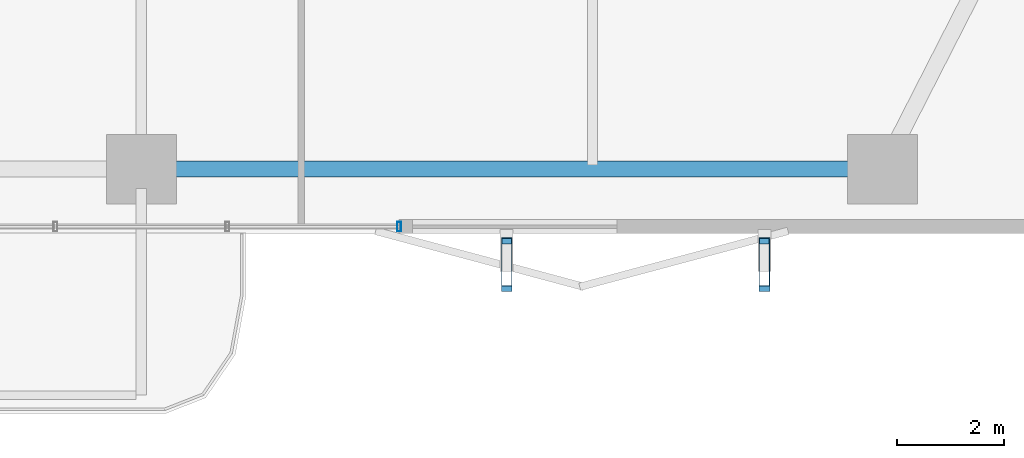
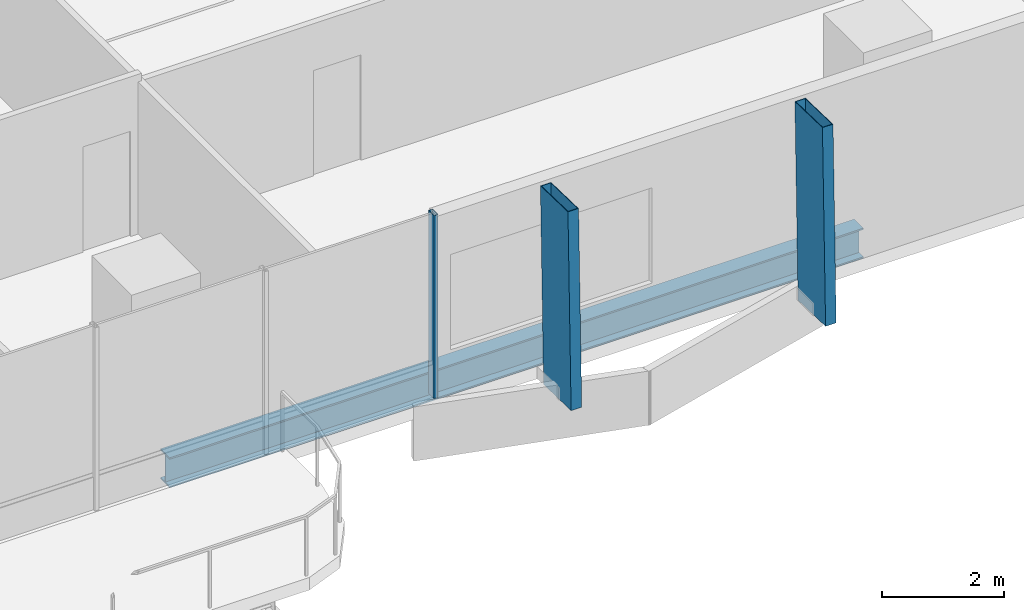
# One storey, part 6 of 23: 3 members, 1 beam, 1 element without a shape of its own.
"""IFC4 building model written with IfcOpenShell, lengths in metres."""

from ifc_helpers import new_model, si_unit, direction, frame, origin, origin_2d, place, context, subcontext, project, spatial, hollow_rectangle, i_section, extrude, material, layer, layer_set, material_profile, profile_set, type_object, element, aggregate, save


model = new_model("IFC4")

# Units and contexts
model_context = context("Model", 3, precision=1e-05, world=origin(), true_north=direction((0.0, 1.0)))
body_context = subcontext(model_context, "Body", "Model", "MODEL_VIEW")
ifc_project = project(units=[si_unit("LENGTHUNIT", "METRE"), si_unit("AREAUNIT", "SQUARE_METRE"), si_unit("VOLUMEUNIT", "CUBIC_METRE"), si_unit("PLANEANGLEUNIT", "RADIAN"), si_unit("MASSUNIT", "GRAM", prefix="KILO")], contexts=[model_context])

# Site, building, storey
site_placement = place(None, origin())
site = spatial("IfcSite", under=ifc_project, at=site_placement, CompositionType="ELEMENT")
building_placement = place(site_placement, origin())
building = spatial("IfcBuilding", under=site, at=building_placement, Name="Belovzor Exchange Tower", CompositionType="ELEMENT")
storey_placement = place(building_placement, frame((0.0, 0.0, 125.10009765625)))
storey = spatial("IfcBuildingStorey", under=building, at=storey_placement, Name="L30", CompositionType="ELEMENT", Elevation=125.10009765625)

# Members
ifc_material_1 = material(Name="Extruded Architectural Terracotta on Steel S355 Carrier", Category="masonry")
ifc_material_profile_1 = material_profile(ifc_material_1, hollow_rectangle(XDim=0.199951171875, YDim=0.89990234375, WallThickness=0.011962890625, at=origin_2d()))
ifc_profile_set_1 = profile_set([ifc_material_profile_1], Name="Extruded Architectural Terracotta on Steel S355 Carrier")
member_type_1 = type_object("IfcMemberType", Name="Sweeping Terracotta Baguette Fin Assembly 1250", PredefinedType="USERDEFINED", material=ifc_profile_set_1)
for number, where, z_axis, x_axis, name in (
    (1, (35.60009765625, 2.072021484375, -0.25), (0.0, 0.026408715329, 0.999651229057), (-1.0, 0.0, 0.0), "FIN-TC125 Terracotta Facade Fin L30 S3"),
    (2, (40.39990234375, 2.072021484375, -0.25), (0.0, 0.026408715329, 0.999651229057), (-1.0, 0.0, 0.0), "FIN-TC125 Terracotta Facade Fin L30 S4"),
):
    element("IfcMember", number, at=place(storey_placement, frame(where, z_axis=z_axis, x_axis=x_axis)), inside=storey, type_object=member_type_1, Name=name, ObjectType="FIN", PredefinedType="USERDEFINED", context=body_context, shape_type="SweptSolid", body=[
        extrude(hollow_rectangle(XDim=0.199951171875, YDim=0.89990234375, WallThickness=0.011962890625, at=origin_2d()), origin(), (0.0, 0.0, 1.0), 3.9013671875),
    ])

# Curtain wall, member
ifc_material_2 = material(Name="Anodised Aluminium Framing", Category="aluminium")
ifc_layer = layer(ifc_material_2, 0.179931640625)
ifc_layer_set = layer_set([ifc_layer], Name="Anodised Aluminium Framing")
curtain_wall_type = type_object("IfcCurtainWallType", Name="Recessed Loggia Low-Iron Triple-Glazed Curtain Wall", PredefinedType="NOTDEFINED", material=ifc_layer_set)
curtain_wall_placement = place(storey_placement, origin())
curtain_wall = element("IfcCurtainWall", 3, at=curtain_wall_placement, inside=storey, type_object=curtain_wall_type, Name="CW3 Recessed Loggia Low-Iron Triple-Glazed Curtain Wall L30", PredefinedType="NOTDEFINED")
ifc_material_3 = material(Name="Steel S355", Category="steel")
ifc_material_profile_2 = material_profile(ifc_material_3, hollow_rectangle(XDim=0.074951171875, YDim=0.179931640625, WallThickness=0.0048828125, at=origin_2d()))
ifc_profile_set_2 = profile_set([ifc_material_profile_2], Name="Steel S355")
member_type_2 = type_object("IfcMemberType", Name="Thermally Broken Curtain Wall Mullion 180x75", PredefinedType="MULLION", material=ifc_profile_set_2)
member_placement = place(storey_placement, frame((33.60009765625, 2.830078125, 0.0), z_axis=(0.0, 0.0, 1.0), x_axis=(-1.0, 0.0, 0.0)))
member = element("IfcMember", 4, at=member_placement, type_object=member_type_2, Name="CW-M180 Curtain Wall Mullion 1", PredefinedType="MULLION", context=body_context, shape_type="SweptSolid", body=[
    extrude(hollow_rectangle(XDim=0.074951171875, YDim=0.179931640625, WallThickness=0.0048828125, at=origin_2d()), origin(), (0.0, 0.0, 1.0), 3.64990234375),
])
aggregate(curtain_wall, [member])

# Beam
ifc_material_4 = material(Name="Steel S355", Category="steel")
ifc_material_profile_3 = material_profile(ifc_material_4, i_section(OverallWidth=0.300048828125, OverallDepth=0.60009765625, WebThickness=0.015380859375, FlangeThickness=0.030029296875, at=origin_2d()))
ifc_profile_set_3 = profile_set([ifc_material_profile_3], Name="Steel S355")
beam_type = type_object("IfcBeamType", Name="Zone 2 Primary Perimeter Girder HEB 600", PredefinedType="BEAM", material=ifc_profile_set_3)
beam_placement = place(storey_placement, frame((29.157958984375, 3.89990234375, -0.550048828125), z_axis=(1.0, 0.0, 0.0), x_axis=(0.0, 1.0, 0.0)))
element("IfcBeam", 5, at=beam_placement, inside=storey, type_object=beam_type, Name="FG-Z2 Zone 2 Primary Perimeter Girder HEB 600", PredefinedType="BEAM", context=body_context, shape_type="SweptSolid", body=[
    extrude(i_section(OverallWidth=0.300048828125, OverallDepth=0.60009765625, WebThickness=0.015380859375, FlangeThickness=0.030029296875, at=origin_2d()), origin(), (0.0, 0.0, 1.0), 13.083984375),
])

save(model, "model.ifc")
